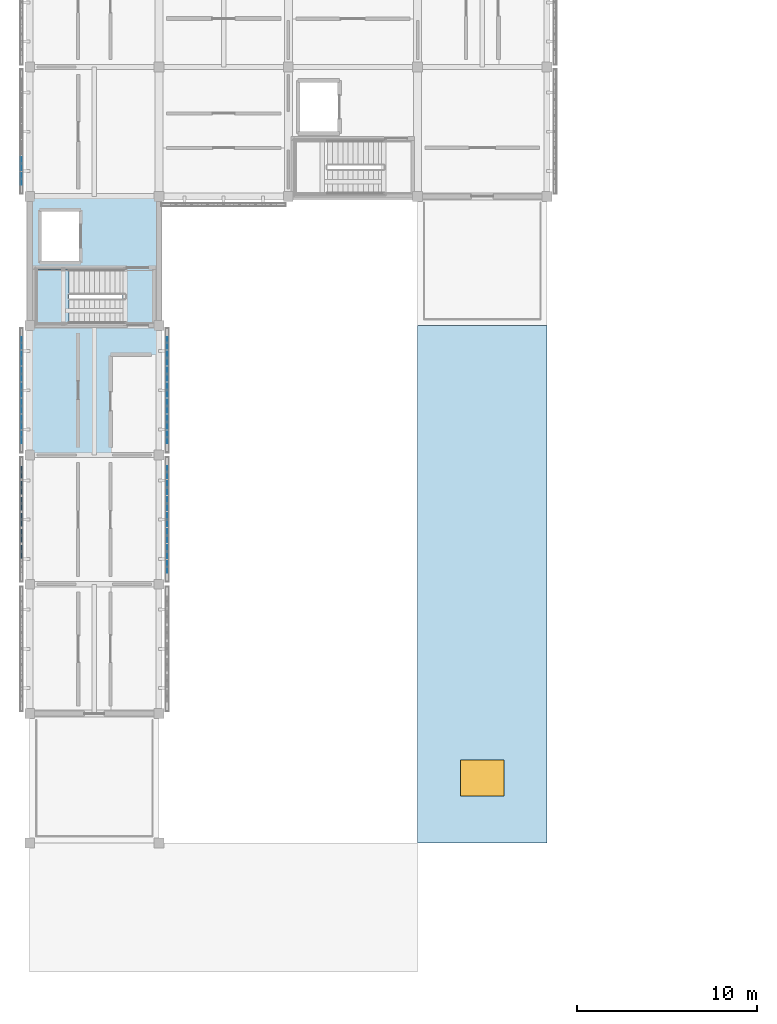
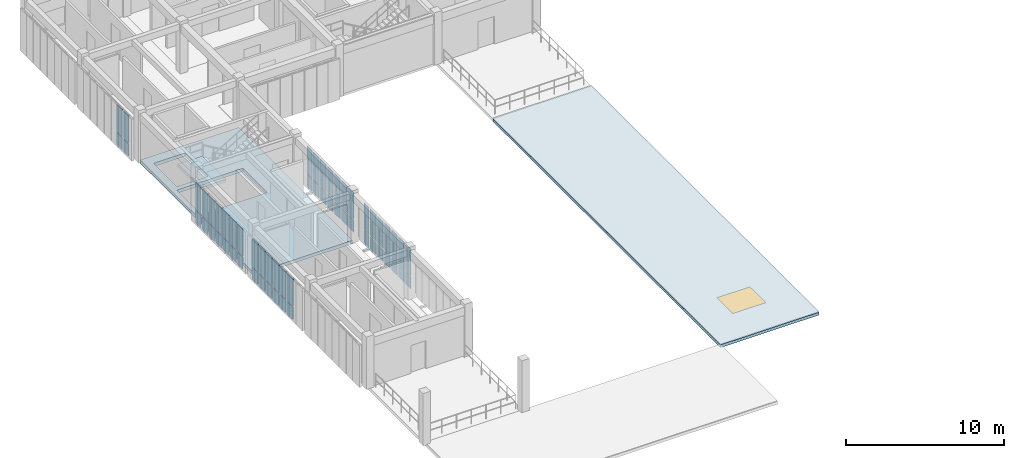
# One storey, part 17 of 33: 58 plates, 3 slabs, 1 window, 1 opening, 6 elements without a shape of their own.
"""IFC4 building model written with IfcOpenShell, lengths in metres."""

from ifc_helpers import new_model, si_unit, direction, frame, origin, origin_2d, place, context, subcontext, project, spatial, polyline, rectangle, outline, extrude, material, layer, layer_set, type_object, element, fill, aggregate, save


model = new_model("IFC4")

# Units and contexts
model_context = context("Model", 3, precision=1e-05, world=origin(), true_north=direction((0.0, 1.0)))
body_context = subcontext(model_context, "Body", "Model", "MODEL_VIEW")
ifc_project = project(units=[si_unit("LENGTHUNIT", "METRE"), si_unit("AREAUNIT", "SQUARE_METRE"), si_unit("VOLUMEUNIT", "CUBIC_METRE"), si_unit("PLANEANGLEUNIT", "RADIAN"), si_unit("MASSUNIT", "GRAM", prefix="KILO")], contexts=[model_context])

# Site, building, storey
site_placement = place(None, origin())
site = spatial("IfcSite", under=ifc_project, at=site_placement, CompositionType="ELEMENT")
building_placement = place(site_placement, origin())
building = spatial("IfcBuilding", under=site, at=building_placement, Name="Aldebral Square Health Centre", CompositionType="ELEMENT")
storey_placement = place(building_placement, frame((0.0, 0.0, 17.550048828125)))
storey = spatial("IfcBuildingStorey", under=building, at=storey_placement, Name="L04", CompositionType="ELEMENT", Elevation=17.550048828125)

# Curtain wall, plates
ifc_material_1 = material(Name="Aluminium and low-E solar glass", Category="aluminium")
curtain_wall_type = type_object("IfcCurtainWallType", Name="CW-FIN-SYS", PredefinedType="USERDEFINED", material=ifc_material_1)
curtain_wall_1_placement = place(storey_placement, origin())
curtain_wall_1 = element("IfcCurtainWall", 1, at=curtain_wall_1_placement, inside=storey, type_object=curtain_wall_type, Name="L04 V4 finned curtain wall L04-V4-00-11-E", ObjectType="SOLAR_CURTAIN_WALL", PredefinedType="USERDEFINED")
ifc_material_2 = material(Name="Solar-control low-E double glass", Category="glass")
ifc_layer_1 = layer(ifc_material_2, 0.02001953125, Name="Solar-control low-E double glass", Category="glass")
ifc_layer_set_1 = layer_set([ifc_layer_1], Name="Solar-control low-E double glass")
plate_type_1 = type_object("IfcPlateType", Name="CWP-GLZ-1", PredefinedType="CURTAIN_PANEL", material=ifc_layer_set_1)
plate_1_placement = place(storey_placement, frame((7.659912109375, 80.165771484375, 0.074951171875), z_axis=(0.0, 0.0, 1.0), x_axis=(0.0, 1.0, 0.0)))
plate_1 = element("IfcPlate", 2, at=plate_1_placement, type_object=plate_type_1, Name="CW1 panel 1.1", PredefinedType="CURTAIN_PANEL", context=body_context, shape_type="SweptSolid", body=[
    extrude(rectangle(XDim=0.6513671875, YDim=0.02001953125, at=origin_2d()), origin(), (0.0, 0.0, 1.0), 0.9375),
])
plate_2_placement = place(storey_placement, frame((7.659912109375, 80.165771484375, 1.08740234375), z_axis=(0.0, 0.0, 1.0), x_axis=(0.0, 1.0, 0.0)))
plate_2 = element("IfcPlate", 3, at=plate_2_placement, type_object=plate_type_1, Name="CW1 panel 1.2", PredefinedType="CURTAIN_PANEL", context=body_context, shape_type="SweptSolid", body=[
    extrude(rectangle(XDim=0.6513671875, YDim=0.02001953125, at=origin_2d()), origin(), (0.0, 0.0, 1.0), 2.08740234375),
])
plate_3_placement = place(storey_placement, frame((7.659912109375, 81.01708984375, 0.074951171875), z_axis=(0.0, 0.0, 1.0), x_axis=(0.0, 1.0, 0.0)))
plate_3 = element("IfcPlate", 4, at=plate_3_placement, type_object=plate_type_1, Name="CW1 panel 2.1", PredefinedType="CURTAIN_PANEL", context=body_context, shape_type="SweptSolid", body=[
    extrude(rectangle(XDim=0.7314453125, YDim=0.02001953125, at=origin_2d()), origin(), (0.0, 0.0, 1.0), 0.9375),
])
plate_4_placement = place(storey_placement, frame((7.659912109375, 81.01708984375, 1.08740234375), z_axis=(0.0, 0.0, 1.0), x_axis=(0.0, 1.0, 0.0)))
plate_4 = element("IfcPlate", 5, at=plate_4_placement, type_object=plate_type_1, Name="CW1 panel 2.2", PredefinedType="CURTAIN_PANEL", context=body_context, shape_type="SweptSolid", body=[
    extrude(rectangle(XDim=0.7314453125, YDim=0.02001953125, at=origin_2d()), origin(), (0.0, 0.0, 1.0), 2.08740234375),
])
plate_5_placement = place(storey_placement, frame((7.659912109375, 81.90869140625, 0.074951171875), z_axis=(0.0, 0.0, 1.0), x_axis=(0.0, 1.0, 0.0)))
plate_5 = element("IfcPlate", 6, at=plate_5_placement, type_object=plate_type_1, Name="CW1 panel 3.1", PredefinedType="CURTAIN_PANEL", context=body_context, shape_type="SweptSolid", body=[
    extrude(rectangle(XDim=0.7314453125, YDim=0.02001953125, at=origin_2d()), origin(), (0.0, 0.0, 1.0), 0.9375),
])
plate_6_placement = place(storey_placement, frame((7.659912109375, 81.90869140625, 1.08740234375), z_axis=(0.0, 0.0, 1.0), x_axis=(0.0, 1.0, 0.0)))
plate_6 = element("IfcPlate", 7, at=plate_6_placement, type_object=plate_type_1, Name="CW1 panel 3.2", PredefinedType="CURTAIN_PANEL", context=body_context, shape_type="SweptSolid", body=[
    extrude(rectangle(XDim=0.7314453125, YDim=0.02001953125, at=origin_2d()), origin(), (0.0, 0.0, 1.0), 2.08740234375),
])
plate_7_placement = place(storey_placement, frame((7.659912109375, 82.800048828125, 0.074951171875), z_axis=(0.0, 0.0, 1.0), x_axis=(0.0, 1.0, 0.0)))
plate_7 = element("IfcPlate", 8, at=plate_7_placement, type_object=plate_type_1, Name="CW1 panel 4.1", PredefinedType="CURTAIN_PANEL", context=body_context, shape_type="SweptSolid", body=[
    extrude(rectangle(XDim=0.7314453125, YDim=0.02001953125, at=origin_2d()), origin(), (0.0, 0.0, 1.0), 0.9375),
])
plate_8_placement = place(storey_placement, frame((7.659912109375, 82.800048828125, 1.08740234375), z_axis=(0.0, 0.0, 1.0), x_axis=(0.0, 1.0, 0.0)))
plate_8 = element("IfcPlate", 9, at=plate_8_placement, type_object=plate_type_1, Name="CW1 panel 4.2", PredefinedType="CURTAIN_PANEL", context=body_context, shape_type="SweptSolid", body=[
    extrude(rectangle(XDim=0.7314453125, YDim=0.02001953125, at=origin_2d()), origin(), (0.0, 0.0, 1.0), 2.08740234375),
])
plate_9_placement = place(storey_placement, frame((7.659912109375, 83.69140625, 0.074951171875), z_axis=(0.0, 0.0, 1.0), x_axis=(0.0, 1.0, 0.0)))
plate_9 = element("IfcPlate", 10, at=plate_9_placement, type_object=plate_type_1, Name="CW1 panel 5.1", PredefinedType="CURTAIN_PANEL", context=body_context, shape_type="SweptSolid", body=[
    extrude(rectangle(XDim=0.7314453125, YDim=0.02001953125, at=origin_2d()), origin(), (0.0, 0.0, 1.0), 0.9375),
])
plate_10_placement = place(storey_placement, frame((7.659912109375, 83.69140625, 1.08740234375), z_axis=(0.0, 0.0, 1.0), x_axis=(0.0, 1.0, 0.0)))
plate_10 = element("IfcPlate", 11, at=plate_10_placement, type_object=plate_type_1, Name="CW1 panel 5.2", PredefinedType="CURTAIN_PANEL", context=body_context, shape_type="SweptSolid", body=[
    extrude(rectangle(XDim=0.7314453125, YDim=0.02001953125, at=origin_2d()), origin(), (0.0, 0.0, 1.0), 2.08740234375),
])
plate_11_placement = place(storey_placement, frame((7.659912109375, 84.582763671875, 0.074951171875), z_axis=(0.0, 0.0, 1.0), x_axis=(0.0, 1.0, 0.0)))
plate_11 = element("IfcPlate", 12, at=plate_11_placement, type_object=plate_type_1, Name="CW1 panel 6.1", PredefinedType="CURTAIN_PANEL", context=body_context, shape_type="SweptSolid", body=[
    extrude(rectangle(XDim=0.7314453125, YDim=0.02001953125, at=origin_2d()), origin(), (0.0, 0.0, 1.0), 0.9375),
])
plate_12_placement = place(storey_placement, frame((7.659912109375, 84.582763671875, 1.08740234375), z_axis=(0.0, 0.0, 1.0), x_axis=(0.0, 1.0, 0.0)))
plate_12 = element("IfcPlate", 13, at=plate_12_placement, type_object=plate_type_1, Name="CW1 panel 6.2", PredefinedType="CURTAIN_PANEL", context=body_context, shape_type="SweptSolid", body=[
    extrude(rectangle(XDim=0.7314453125, YDim=0.02001953125, at=origin_2d()), origin(), (0.0, 0.0, 1.0), 2.08740234375),
])
plate_13_placement = place(storey_placement, frame((7.659912109375, 85.434326171875, 0.074951171875), z_axis=(0.0, 0.0, 1.0), x_axis=(0.0, 1.0, 0.0)))
plate_13 = element("IfcPlate", 14, at=plate_13_placement, type_object=plate_type_1, Name="CW1 panel 7.1", PredefinedType="CURTAIN_PANEL", context=body_context, shape_type="SweptSolid", body=[
    extrude(rectangle(XDim=0.6513671875, YDim=0.02001953125, at=origin_2d()), origin(), (0.0, 0.0, 1.0), 0.9375),
])
plate_14_placement = place(storey_placement, frame((7.659912109375, 85.434326171875, 1.08740234375), z_axis=(0.0, 0.0, 1.0), x_axis=(0.0, 1.0, 0.0)))
plate_14 = element("IfcPlate", 15, at=plate_14_placement, type_object=plate_type_1, Name="CW1 panel 7.2", PredefinedType="CURTAIN_PANEL", context=body_context, shape_type="SweptSolid", body=[
    extrude(rectangle(XDim=0.6513671875, YDim=0.02001953125, at=origin_2d()), origin(), (0.0, 0.0, 1.0), 2.08740234375),
])
aggregate(curtain_wall_1, [plate_1, plate_2, plate_3, plate_4, plate_5, plate_6, plate_7, plate_8, plate_9, plate_10, plate_11, plate_12, plate_13, plate_14])

curtain_wall_2_placement = place(storey_placement, origin())
curtain_wall_2 = element("IfcCurtainWall", 16, at=curtain_wall_2_placement, inside=storey, type_object=curtain_wall_type, Name="L04 V4 finned curtain wall L04-V4-00-12-W", ObjectType="SOLAR_CURTAIN_WALL", PredefinedType="USERDEFINED")
ifc_layer_2 = layer(ifc_material_2, 0.030029296875, Name="Solar-control low-E double glass", Category="glass")
ifc_layer_set_2 = layer_set([ifc_layer_2], Name="Solar-control low-E double glass")
plate_type_2 = type_object("IfcPlateType", Name="CWP-GLZ-2", PredefinedType="CURTAIN_PANEL", material=ifc_layer_set_2)
plate_15_placement = place(storey_placement, frame((-0.4599609375, 92.63427734375, 0.074951171875), z_axis=(0.0, 0.0, 1.0), x_axis=(0.0, -1.0, 0.0)))
plate_15 = element("IfcPlate", 17, at=plate_15_placement, type_object=plate_type_2, Name="CW1 panel 1.1", PredefinedType="CURTAIN_PANEL", context=body_context, shape_type="SweptSolid", body=[
    extrude(rectangle(XDim=0.6513671875, YDim=0.030029296875, at=origin_2d()), origin(), (0.0, 0.0, 1.0), 0.9375),
])
plate_16_placement = place(storey_placement, frame((-0.4599609375, 92.63427734375, 1.08740234375), z_axis=(0.0, 0.0, 1.0), x_axis=(0.0, -1.0, 0.0)))
plate_16 = element("IfcPlate", 18, at=plate_16_placement, type_object=plate_type_2, Name="CW1 panel 1.2", PredefinedType="CURTAIN_PANEL", context=body_context, shape_type="SweptSolid", body=[
    extrude(rectangle(XDim=0.6513671875, YDim=0.030029296875, at=origin_2d()), origin(), (0.0, 0.0, 1.0), 2.08740234375),
])
plate_17_placement = place(storey_placement, frame((-0.4599609375, 91.782958984375, 0.074951171875), z_axis=(0.0, 0.0, 1.0), x_axis=(0.0, -1.0, 0.0)))
plate_17 = element("IfcPlate", 19, at=plate_17_placement, type_object=plate_type_2, Name="CW1 panel 2.1", PredefinedType="CURTAIN_PANEL", context=body_context, shape_type="SweptSolid", body=[
    extrude(rectangle(XDim=0.7314453125, YDim=0.030029296875, at=origin_2d()), origin(), (0.0, 0.0, 1.0), 0.9375),
])
plate_18_placement = place(storey_placement, frame((-0.4599609375, 91.782958984375, 1.08740234375), z_axis=(0.0, 0.0, 1.0), x_axis=(0.0, -1.0, 0.0)))
plate_18 = element("IfcPlate", 20, at=plate_18_placement, type_object=plate_type_2, Name="CW1 panel 2.2", PredefinedType="CURTAIN_PANEL", context=body_context, shape_type="SweptSolid", body=[
    extrude(rectangle(XDim=0.7314453125, YDim=0.030029296875, at=origin_2d()), origin(), (0.0, 0.0, 1.0), 2.08740234375),
])
plate_19_placement = place(storey_placement, frame((-0.4599609375, 90.891357421875, 0.074951171875), z_axis=(0.0, 0.0, 1.0), x_axis=(0.0, -1.0, 0.0)))
plate_19 = element("IfcPlate", 21, at=plate_19_placement, type_object=plate_type_2, Name="CW1 panel 3.1", PredefinedType="CURTAIN_PANEL", context=body_context, shape_type="SweptSolid", body=[
    extrude(rectangle(XDim=0.7314453125, YDim=0.030029296875, at=origin_2d()), origin(), (0.0, 0.0, 1.0), 0.9375),
])
plate_20_placement = place(storey_placement, frame((-0.4599609375, 90.891357421875, 1.08740234375), z_axis=(0.0, 0.0, 1.0), x_axis=(0.0, -1.0, 0.0)))
plate_20 = element("IfcPlate", 22, at=plate_20_placement, type_object=plate_type_2, Name="CW1 panel 3.2", PredefinedType="CURTAIN_PANEL", context=body_context, shape_type="SweptSolid", body=[
    extrude(rectangle(XDim=0.7314453125, YDim=0.030029296875, at=origin_2d()), origin(), (0.0, 0.0, 1.0), 2.08740234375),
])
plate_21_placement = place(storey_placement, frame((-0.4599609375, 90.0, 0.074951171875), z_axis=(0.0, 0.0, 1.0), x_axis=(0.0, -1.0, 0.0)))
plate_21 = element("IfcPlate", 23, at=plate_21_placement, type_object=plate_type_2, Name="CW1 panel 4.1", PredefinedType="CURTAIN_PANEL", context=body_context, shape_type="SweptSolid", body=[
    extrude(rectangle(XDim=0.7314453125, YDim=0.030029296875, at=origin_2d()), origin(), (0.0, 0.0, 1.0), 0.9375),
])
plate_22_placement = place(storey_placement, frame((-0.4599609375, 90.0, 1.08740234375), z_axis=(0.0, 0.0, 1.0), x_axis=(0.0, -1.0, 0.0)))
plate_22 = element("IfcPlate", 24, at=plate_22_placement, type_object=plate_type_2, Name="CW1 panel 4.2", PredefinedType="CURTAIN_PANEL", context=body_context, shape_type="SweptSolid", body=[
    extrude(rectangle(XDim=0.7314453125, YDim=0.030029296875, at=origin_2d()), origin(), (0.0, 0.0, 1.0), 2.08740234375),
])
plate_23_placement = place(storey_placement, frame((-0.4599609375, 89.108642578125, 0.074951171875), z_axis=(0.0, 0.0, 1.0), x_axis=(0.0, -1.0, 0.0)))
plate_23 = element("IfcPlate", 25, at=plate_23_placement, type_object=plate_type_2, Name="CW1 panel 5.1", PredefinedType="CURTAIN_PANEL", context=body_context, shape_type="SweptSolid", body=[
    extrude(rectangle(XDim=0.7314453125, YDim=0.030029296875, at=origin_2d()), origin(), (0.0, 0.0, 1.0), 0.9375),
])
plate_24_placement = place(storey_placement, frame((-0.4599609375, 89.108642578125, 1.08740234375), z_axis=(0.0, 0.0, 1.0), x_axis=(0.0, -1.0, 0.0)))
plate_24 = element("IfcPlate", 26, at=plate_24_placement, type_object=plate_type_2, Name="CW1 panel 5.2", PredefinedType="CURTAIN_PANEL", context=body_context, shape_type="SweptSolid", body=[
    extrude(rectangle(XDim=0.7314453125, YDim=0.030029296875, at=origin_2d()), origin(), (0.0, 0.0, 1.0), 2.08740234375),
])
plate_25_placement = place(storey_placement, frame((-0.4599609375, 88.217041015625, 0.074951171875), z_axis=(0.0, 0.0, 1.0), x_axis=(0.0, -1.0, 0.0)))
plate_25 = element("IfcPlate", 27, at=plate_25_placement, type_object=plate_type_2, Name="CW1 panel 6.1", PredefinedType="CURTAIN_PANEL", context=body_context, shape_type="SweptSolid", body=[
    extrude(rectangle(XDim=0.7314453125, YDim=0.030029296875, at=origin_2d()), origin(), (0.0, 0.0, 1.0), 0.9375),
])
plate_26_placement = place(storey_placement, frame((-0.4599609375, 88.217041015625, 1.08740234375), z_axis=(0.0, 0.0, 1.0), x_axis=(0.0, -1.0, 0.0)))
plate_26 = element("IfcPlate", 28, at=plate_26_placement, type_object=plate_type_2, Name="CW1 panel 6.2", PredefinedType="CURTAIN_PANEL", context=body_context, shape_type="SweptSolid", body=[
    extrude(rectangle(XDim=0.7314453125, YDim=0.030029296875, at=origin_2d()), origin(), (0.0, 0.0, 1.0), 2.08740234375),
])
plate_27_placement = place(storey_placement, frame((-0.4599609375, 87.36572265625, 0.074951171875), z_axis=(0.0, 0.0, 1.0), x_axis=(0.0, -1.0, 0.0)))
plate_27 = element("IfcPlate", 29, at=plate_27_placement, type_object=plate_type_2, Name="CW1 panel 7.1", PredefinedType="CURTAIN_PANEL", context=body_context, shape_type="SweptSolid", body=[
    extrude(rectangle(XDim=0.6513671875, YDim=0.030029296875, at=origin_2d()), origin(), (0.0, 0.0, 1.0), 0.9375),
])
plate_28_placement = place(storey_placement, frame((-0.4599609375, 87.36572265625, 1.08740234375), z_axis=(0.0, 0.0, 1.0), x_axis=(0.0, -1.0, 0.0)))
plate_28 = element("IfcPlate", 30, at=plate_28_placement, type_object=plate_type_2, Name="CW1 panel 7.2", PredefinedType="CURTAIN_PANEL", context=body_context, shape_type="SweptSolid", body=[
    extrude(rectangle(XDim=0.6513671875, YDim=0.030029296875, at=origin_2d()), origin(), (0.0, 0.0, 1.0), 2.08740234375),
])
aggregate(curtain_wall_2, [plate_15, plate_16, plate_17, plate_18, plate_19, plate_20, plate_21, plate_22, plate_23, plate_24, plate_25, plate_26, plate_27, plate_28])

curtain_wall_3_placement = place(storey_placement, origin())
curtain_wall_3 = element("IfcCurtainWall", 31, at=curtain_wall_3_placement, inside=storey, type_object=curtain_wall_type, Name="L04 V4 finned curtain wall L04-V4-00-12-E", ObjectType="SOLAR_CURTAIN_WALL", PredefinedType="USERDEFINED")
ifc_layer_3 = layer(ifc_material_2, 0.0400390625, Name="Solar-control low-E double glass", Category="glass")
ifc_layer_set_3 = layer_set([ifc_layer_3], Name="Solar-control low-E double glass")
plate_type_3 = type_object("IfcPlateType", Name="CWP-GLZ-3", PredefinedType="CURTAIN_PANEL", material=ifc_layer_set_3)
plate_29_placement = place(storey_placement, frame((7.659912109375, 87.36572265625, 0.074951171875), z_axis=(0.0, 0.0, 1.0), x_axis=(0.0, 1.0, 0.0)))
plate_29 = element("IfcPlate", 32, at=plate_29_placement, type_object=plate_type_3, Name="CW1 panel 1.1", PredefinedType="CURTAIN_PANEL", context=body_context, shape_type="SweptSolid", body=[
    extrude(rectangle(XDim=0.6513671875, YDim=0.0400390625, at=origin_2d()), origin(), (0.0, 0.0, 1.0), 0.9375),
])
plate_30_placement = place(storey_placement, frame((7.659912109375, 87.36572265625, 1.08740234375), z_axis=(0.0, 0.0, 1.0), x_axis=(0.0, 1.0, 0.0)))
plate_30 = element("IfcPlate", 33, at=plate_30_placement, type_object=plate_type_3, Name="CW1 panel 1.2", PredefinedType="CURTAIN_PANEL", context=body_context, shape_type="SweptSolid", body=[
    extrude(rectangle(XDim=0.6513671875, YDim=0.0400390625, at=origin_2d()), origin(), (0.0, 0.0, 1.0), 2.08740234375),
])
plate_31_placement = place(storey_placement, frame((7.659912109375, 88.217041015625, 0.074951171875), z_axis=(0.0, 0.0, 1.0), x_axis=(0.0, 1.0, 0.0)))
plate_31 = element("IfcPlate", 34, at=plate_31_placement, type_object=plate_type_3, Name="CW1 panel 2.1", PredefinedType="CURTAIN_PANEL", context=body_context, shape_type="SweptSolid", body=[
    extrude(rectangle(XDim=0.7314453125, YDim=0.0400390625, at=origin_2d()), origin(), (0.0, 0.0, 1.0), 0.9375),
])
plate_32_placement = place(storey_placement, frame((7.659912109375, 88.217041015625, 1.08740234375), z_axis=(0.0, 0.0, 1.0), x_axis=(0.0, 1.0, 0.0)))
plate_32 = element("IfcPlate", 35, at=plate_32_placement, type_object=plate_type_3, Name="CW1 panel 2.2", PredefinedType="CURTAIN_PANEL", context=body_context, shape_type="SweptSolid", body=[
    extrude(rectangle(XDim=0.7314453125, YDim=0.0400390625, at=origin_2d()), origin(), (0.0, 0.0, 1.0), 2.08740234375),
])
plate_33_placement = place(storey_placement, frame((7.659912109375, 89.108642578125, 0.074951171875), z_axis=(0.0, 0.0, 1.0), x_axis=(0.0, 1.0, 0.0)))
plate_33 = element("IfcPlate", 36, at=plate_33_placement, type_object=plate_type_3, Name="CW1 panel 3.1", PredefinedType="CURTAIN_PANEL", context=body_context, shape_type="SweptSolid", body=[
    extrude(rectangle(XDim=0.7314453125, YDim=0.0400390625, at=origin_2d()), origin(), (0.0, 0.0, 1.0), 0.9375),
])
plate_34_placement = place(storey_placement, frame((7.659912109375, 89.108642578125, 1.08740234375), z_axis=(0.0, 0.0, 1.0), x_axis=(0.0, 1.0, 0.0)))
plate_34 = element("IfcPlate", 37, at=plate_34_placement, type_object=plate_type_3, Name="CW1 panel 3.2", PredefinedType="CURTAIN_PANEL", context=body_context, shape_type="SweptSolid", body=[
    extrude(rectangle(XDim=0.7314453125, YDim=0.0400390625, at=origin_2d()), origin(), (0.0, 0.0, 1.0), 2.08740234375),
])
plate_35_placement = place(storey_placement, frame((7.659912109375, 90.0, 0.074951171875), z_axis=(0.0, 0.0, 1.0), x_axis=(0.0, 1.0, 0.0)))
plate_35 = element("IfcPlate", 38, at=plate_35_placement, type_object=plate_type_3, Name="CW1 panel 4.1", PredefinedType="CURTAIN_PANEL", context=body_context, shape_type="SweptSolid", body=[
    extrude(rectangle(XDim=0.7314453125, YDim=0.0400390625, at=origin_2d()), origin(), (0.0, 0.0, 1.0), 0.9375),
])
plate_36_placement = place(storey_placement, frame((7.659912109375, 90.0, 1.08740234375), z_axis=(0.0, 0.0, 1.0), x_axis=(0.0, 1.0, 0.0)))
plate_36 = element("IfcPlate", 39, at=plate_36_placement, type_object=plate_type_3, Name="CW1 panel 4.2", PredefinedType="CURTAIN_PANEL", context=body_context, shape_type="SweptSolid", body=[
    extrude(rectangle(XDim=0.7314453125, YDim=0.0400390625, at=origin_2d()), origin(), (0.0, 0.0, 1.0), 2.08740234375),
])
plate_37_placement = place(storey_placement, frame((7.659912109375, 90.891357421875, 0.074951171875), z_axis=(0.0, 0.0, 1.0), x_axis=(0.0, 1.0, 0.0)))
plate_37 = element("IfcPlate", 40, at=plate_37_placement, type_object=plate_type_3, Name="CW1 panel 5.1", PredefinedType="CURTAIN_PANEL", context=body_context, shape_type="SweptSolid", body=[
    extrude(rectangle(XDim=0.7314453125, YDim=0.0400390625, at=origin_2d()), origin(), (0.0, 0.0, 1.0), 0.9375),
])
plate_38_placement = place(storey_placement, frame((7.659912109375, 90.891357421875, 1.08740234375), z_axis=(0.0, 0.0, 1.0), x_axis=(0.0, 1.0, 0.0)))
plate_38 = element("IfcPlate", 41, at=plate_38_placement, type_object=plate_type_3, Name="CW1 panel 5.2", PredefinedType="CURTAIN_PANEL", context=body_context, shape_type="SweptSolid", body=[
    extrude(rectangle(XDim=0.7314453125, YDim=0.0400390625, at=origin_2d()), origin(), (0.0, 0.0, 1.0), 2.08740234375),
])
plate_39_placement = place(storey_placement, frame((7.659912109375, 91.782958984375, 0.074951171875), z_axis=(0.0, 0.0, 1.0), x_axis=(0.0, 1.0, 0.0)))
plate_39 = element("IfcPlate", 42, at=plate_39_placement, type_object=plate_type_3, Name="CW1 panel 6.1", PredefinedType="CURTAIN_PANEL", context=body_context, shape_type="SweptSolid", body=[
    extrude(rectangle(XDim=0.7314453125, YDim=0.0400390625, at=origin_2d()), origin(), (0.0, 0.0, 1.0), 0.9375),
])
plate_40_placement = place(storey_placement, frame((7.659912109375, 91.782958984375, 1.08740234375), z_axis=(0.0, 0.0, 1.0), x_axis=(0.0, 1.0, 0.0)))
plate_40 = element("IfcPlate", 43, at=plate_40_placement, type_object=plate_type_3, Name="CW1 panel 6.2", PredefinedType="CURTAIN_PANEL", context=body_context, shape_type="SweptSolid", body=[
    extrude(rectangle(XDim=0.7314453125, YDim=0.0400390625, at=origin_2d()), origin(), (0.0, 0.0, 1.0), 2.08740234375),
])
plate_41_placement = place(storey_placement, frame((7.659912109375, 92.63427734375, 0.074951171875), z_axis=(0.0, 0.0, 1.0), x_axis=(0.0, 1.0, 0.0)))
plate_41 = element("IfcPlate", 44, at=plate_41_placement, type_object=plate_type_3, Name="CW1 panel 7.1", PredefinedType="CURTAIN_PANEL", context=body_context, shape_type="SweptSolid", body=[
    extrude(rectangle(XDim=0.6513671875, YDim=0.0400390625, at=origin_2d()), origin(), (0.0, 0.0, 1.0), 0.9375),
])
plate_42_placement = place(storey_placement, frame((7.659912109375, 92.63427734375, 1.08740234375), z_axis=(0.0, 0.0, 1.0), x_axis=(0.0, 1.0, 0.0)))
plate_42 = element("IfcPlate", 45, at=plate_42_placement, type_object=plate_type_3, Name="CW1 panel 7.2", PredefinedType="CURTAIN_PANEL", context=body_context, shape_type="SweptSolid", body=[
    extrude(rectangle(XDim=0.6513671875, YDim=0.0400390625, at=origin_2d()), origin(), (0.0, 0.0, 1.0), 2.08740234375),
])
aggregate(curtain_wall_3, [plate_29, plate_30, plate_31, plate_32, plate_33, plate_34, plate_35, plate_36, plate_37, plate_38, plate_39, plate_40, plate_41, plate_42])

curtain_wall_4_placement = place(storey_placement, origin())
curtain_wall_4 = element("IfcCurtainWall", 46, at=curtain_wall_4_placement, inside=storey, type_object=curtain_wall_type, Name="L04 V4 finned curtain wall L04-V4-00-14-W", ObjectType="SOLAR_CURTAIN_WALL", PredefinedType="USERDEFINED")
ifc_layer_4 = layer(ifc_material_2, 0.050048828125, Name="Solar-control low-E double glass", Category="glass")
ifc_layer_set_4 = layer_set([ifc_layer_4], Name="Solar-control low-E double glass")
plate_type_4 = type_object("IfcPlateType", Name="CWP-GLZ-4", PredefinedType="CURTAIN_PANEL", material=ifc_layer_set_4)
plate_43_placement = place(storey_placement, frame((-0.4599609375, 102.6171875, 0.074951171875), z_axis=(0.0, 0.0, 1.0), x_axis=(0.0, -1.0, 0.0)))
plate_43 = element("IfcPlate", 47, at=plate_43_placement, type_object=plate_type_4, Name="CW1 panel 6.1", PredefinedType="CURTAIN_PANEL", context=body_context, shape_type="SweptSolid", body=[
    extrude(rectangle(XDim=0.7314453125, YDim=0.050048828125, at=origin_2d()), origin(), (0.0, 0.0, 1.0), 0.9375),
])
plate_44_placement = place(storey_placement, frame((-0.4599609375, 102.6171875, 1.08740234375), z_axis=(0.0, 0.0, 1.0), x_axis=(0.0, -1.0, 0.0)))
plate_44 = element("IfcPlate", 48, at=plate_44_placement, type_object=plate_type_4, Name="CW1 panel 6.2", PredefinedType="CURTAIN_PANEL", context=body_context, shape_type="SweptSolid", body=[
    extrude(rectangle(XDim=0.7314453125, YDim=0.050048828125, at=origin_2d()), origin(), (0.0, 0.0, 1.0), 2.08740234375),
])
plate_45_placement = place(storey_placement, frame((-0.4599609375, 101.765625, 0.074951171875), z_axis=(0.0, 0.0, 1.0), x_axis=(0.0, -1.0, 0.0)))
plate_45 = element("IfcPlate", 49, at=plate_45_placement, type_object=plate_type_4, Name="CW1 panel 7.1", PredefinedType="CURTAIN_PANEL", context=body_context, shape_type="SweptSolid", body=[
    extrude(rectangle(XDim=0.6513671875, YDim=0.050048828125, at=origin_2d()), origin(), (0.0, 0.0, 1.0), 0.9375),
])
plate_46_placement = place(storey_placement, frame((-0.4599609375, 101.765625, 1.08740234375), z_axis=(0.0, 0.0, 1.0), x_axis=(0.0, -1.0, 0.0)))
plate_46 = element("IfcPlate", 50, at=plate_46_placement, type_object=plate_type_4, Name="CW1 panel 7.2", PredefinedType="CURTAIN_PANEL", context=body_context, shape_type="SweptSolid", body=[
    extrude(rectangle(XDim=0.6513671875, YDim=0.050048828125, at=origin_2d()), origin(), (0.0, 0.0, 1.0), 2.08740234375),
])
aggregate(curtain_wall_4, [plate_43, plate_44, plate_45, plate_46])

curtain_wall_5_placement = place(storey_placement, origin())
curtain_wall_5 = element("IfcCurtainWall", 51, at=curtain_wall_5_placement, inside=storey, type_object=curtain_wall_type, Name="L04 V4 finned curtain wall L04-V4-00-11-W", ObjectType="SOLAR_CURTAIN_WALL", PredefinedType="USERDEFINED")
ifc_layer_5 = layer(ifc_material_2, 0.090087890625, Name="Solar-control low-E double glass", Category="glass")
ifc_layer_set_5 = layer_set([ifc_layer_5], Name="Solar-control low-E double glass")
plate_type_5 = type_object("IfcPlateType", Name="CWP-GLZ-8", PredefinedType="CURTAIN_PANEL", material=ifc_layer_set_5)
plate_47_placement = place(storey_placement, frame((-0.4599609375, 85.434326171875, 0.074951171875), z_axis=(0.0, 0.0, 1.0), x_axis=(0.0, -1.0, 0.0)))
plate_47 = element("IfcPlate", 52, at=plate_47_placement, type_object=plate_type_5, Name="CW1 panel 1.1", PredefinedType="CURTAIN_PANEL", context=body_context, shape_type="SweptSolid", body=[
    extrude(rectangle(XDim=0.6513671875, YDim=0.090087890625, at=origin_2d()), origin(), (0.0, 0.0, 1.0), 0.9375),
])
plate_48_placement = place(storey_placement, frame((-0.4599609375, 85.434326171875, 1.08740234375), z_axis=(0.0, 0.0, 1.0), x_axis=(0.0, -1.0, 0.0)))
plate_48 = element("IfcPlate", 53, at=plate_48_placement, type_object=plate_type_5, Name="CW1 panel 1.2", PredefinedType="CURTAIN_PANEL", context=body_context, shape_type="SweptSolid", body=[
    extrude(rectangle(XDim=0.6513671875, YDim=0.090087890625, at=origin_2d()), origin(), (0.0, 0.0, 1.0), 2.08740234375),
])
plate_49_placement = place(storey_placement, frame((-0.4599609375, 84.582763671875, 0.074951171875), z_axis=(0.0, 0.0, 1.0), x_axis=(0.0, -1.0, 0.0)))
plate_49 = element("IfcPlate", 54, at=plate_49_placement, type_object=plate_type_5, Name="CW1 panel 2.1", PredefinedType="CURTAIN_PANEL", context=body_context, shape_type="SweptSolid", body=[
    extrude(rectangle(XDim=0.7314453125, YDim=0.090087890625, at=origin_2d()), origin(), (0.0, 0.0, 1.0), 0.9375),
])
plate_50_placement = place(storey_placement, frame((-0.4599609375, 84.582763671875, 1.08740234375), z_axis=(0.0, 0.0, 1.0), x_axis=(0.0, -1.0, 0.0)))
plate_50 = element("IfcPlate", 55, at=plate_50_placement, type_object=plate_type_5, Name="CW1 panel 2.2", PredefinedType="CURTAIN_PANEL", context=body_context, shape_type="SweptSolid", body=[
    extrude(rectangle(XDim=0.7314453125, YDim=0.090087890625, at=origin_2d()), origin(), (0.0, 0.0, 1.0), 2.08740234375),
])
plate_51_placement = place(storey_placement, frame((-0.4599609375, 83.69140625, 0.074951171875), z_axis=(0.0, 0.0, 1.0), x_axis=(0.0, -1.0, 0.0)))
plate_51 = element("IfcPlate", 56, at=plate_51_placement, type_object=plate_type_5, Name="CW1 panel 3.1", PredefinedType="CURTAIN_PANEL", context=body_context, shape_type="SweptSolid", body=[
    extrude(rectangle(XDim=0.7314453125, YDim=0.090087890625, at=origin_2d()), origin(), (0.0, 0.0, 1.0), 0.9375),
])
plate_52_placement = place(storey_placement, frame((-0.4599609375, 83.69140625, 1.08740234375), z_axis=(0.0, 0.0, 1.0), x_axis=(0.0, -1.0, 0.0)))
plate_52 = element("IfcPlate", 57, at=plate_52_placement, type_object=plate_type_5, Name="CW1 panel 3.2", PredefinedType="CURTAIN_PANEL", context=body_context, shape_type="SweptSolid", body=[
    extrude(rectangle(XDim=0.7314453125, YDim=0.090087890625, at=origin_2d()), origin(), (0.0, 0.0, 1.0), 2.08740234375),
])
plate_53_placement = place(storey_placement, frame((-0.4599609375, 82.800048828125, 0.074951171875), z_axis=(0.0, 0.0, 1.0), x_axis=(0.0, -1.0, 0.0)))
plate_53 = element("IfcPlate", 58, at=plate_53_placement, type_object=plate_type_5, Name="CW1 panel 4.1", PredefinedType="CURTAIN_PANEL", context=body_context, shape_type="SweptSolid", body=[
    extrude(rectangle(XDim=0.7314453125, YDim=0.090087890625, at=origin_2d()), origin(), (0.0, 0.0, 1.0), 0.9375),
])
plate_54_placement = place(storey_placement, frame((-0.4599609375, 82.800048828125, 1.08740234375), z_axis=(0.0, 0.0, 1.0), x_axis=(0.0, -1.0, 0.0)))
plate_54 = element("IfcPlate", 59, at=plate_54_placement, type_object=plate_type_5, Name="CW1 panel 4.2", PredefinedType="CURTAIN_PANEL", context=body_context, shape_type="SweptSolid", body=[
    extrude(rectangle(XDim=0.7314453125, YDim=0.090087890625, at=origin_2d()), origin(), (0.0, 0.0, 1.0), 2.08740234375),
])
plate_55_placement = place(storey_placement, frame((-0.4599609375, 81.90869140625, 0.074951171875), z_axis=(0.0, 0.0, 1.0), x_axis=(0.0, -1.0, 0.0)))
plate_55 = element("IfcPlate", 60, at=plate_55_placement, type_object=plate_type_5, Name="CW1 panel 5.1", PredefinedType="CURTAIN_PANEL", context=body_context, shape_type="SweptSolid", body=[
    extrude(rectangle(XDim=0.7314453125, YDim=0.090087890625, at=origin_2d()), origin(), (0.0, 0.0, 1.0), 0.9375),
])
plate_56_placement = place(storey_placement, frame((-0.4599609375, 81.90869140625, 1.08740234375), z_axis=(0.0, 0.0, 1.0), x_axis=(0.0, -1.0, 0.0)))
plate_56 = element("IfcPlate", 61, at=plate_56_placement, type_object=plate_type_5, Name="CW1 panel 5.2", PredefinedType="CURTAIN_PANEL", context=body_context, shape_type="SweptSolid", body=[
    extrude(rectangle(XDim=0.7314453125, YDim=0.090087890625, at=origin_2d()), origin(), (0.0, 0.0, 1.0), 2.08740234375),
])
plate_57_placement = place(storey_placement, frame((-0.4599609375, 81.01708984375, 0.074951171875), z_axis=(0.0, 0.0, 1.0), x_axis=(0.0, -1.0, 0.0)))
plate_57 = element("IfcPlate", 62, at=plate_57_placement, type_object=plate_type_5, Name="CW1 panel 6.1", PredefinedType="CURTAIN_PANEL", context=body_context, shape_type="SweptSolid", body=[
    extrude(rectangle(XDim=0.7314453125, YDim=0.090087890625, at=origin_2d()), origin(), (0.0, 0.0, 1.0), 0.9375),
])
plate_58_placement = place(storey_placement, frame((-0.4599609375, 81.01708984375, 1.08740234375), z_axis=(0.0, 0.0, 1.0), x_axis=(0.0, -1.0, 0.0)))
plate_58 = element("IfcPlate", 63, at=plate_58_placement, type_object=plate_type_5, Name="CW1 panel 6.2", PredefinedType="CURTAIN_PANEL", context=body_context, shape_type="SweptSolid", body=[
    extrude(rectangle(XDim=0.7314453125, YDim=0.090087890625, at=origin_2d()), origin(), (0.0, 0.0, 1.0), 2.08740234375),
])
aggregate(curtain_wall_5, [plate_47, plate_48, plate_49, plate_50, plate_51, plate_52, plate_53, plate_54, plate_55, plate_56, plate_57, plate_58])

# Slab
ifc_material_3 = material(Name="Concrete C35/45", Category="concrete")
ifc_layer_6 = layer(ifc_material_3, 0.25, Name="Concrete C35/45", Category="concrete")
ifc_layer_set_6 = layer_set([ifc_layer_6], Name="Concrete C35/45")
slab_type_1 = type_object("IfcSlabType", Name="SL-FLR-250", PredefinedType="FLOOR", material=ifc_layer_set_6)
slab_1_placement = place(storey_placement, frame((0.0, 0.0, -0.25)))
element("IfcSlab", 64, at=slab_1_placement, inside=storey, type_object=slab_type_1, Name="L04 V4 floor slab 2", PredefinedType="FLOOR", context=body_context, shape_type="SweptSolid", body=[
    extrude(outline(polyline([(0.0, 86.39990234375), (0.0, 93.60009765625), (0.0, 100.800048828125), (7.199951171875, 100.800048828125), (7.199951171875, 93.60009765625), (7.199951171875, 86.39990234375), (0.0, 86.39990234375)]), holes=[polyline([(0.340087890625, 96.760009765625), (0.340087890625, 93.679931640625), (5.179931640625, 93.679931640625), (5.179931640625, 96.760009765625), (0.340087890625, 96.760009765625)]), polyline([(0.550048828125, 100.050048828125), (0.550048828125, 97.10009765625), (2.85009765625, 97.10009765625), (2.85009765625, 100.050048828125), (0.550048828125, 100.050048828125)])]), origin(), (0.0, 0.0, 1.0), 0.25),
])

# Stair, slab
stair_type = type_object("IfcStairType", Name="ST-DOG-140", PredefinedType="HALF_TURN_STAIR", material=ifc_material_3)
stair_placement = place(storey_placement, origin())
stair = element("IfcStair", 65, at=stair_placement, inside=storey, type_object=stair_type, Name="L04 ST-01", PredefinedType="HALF_TURN_STAIR")
ifc_layer_7 = layer(ifc_material_3, 0.199951171875, Name="Concrete C35/45", Category="concrete")
ifc_layer_set_7 = layer_set([ifc_layer_7], Name="Concrete C35/45")
slab_type_2 = type_object("IfcSlabType", Name="SL-LND-200", PredefinedType="LANDING", material=ifc_layer_set_7)
slab_2_placement = place(storey_placement, frame((0.0, 0.0, 1.824951171875)))
slab_2 = element("IfcSlab", 66, at=slab_2_placement, type_object=slab_type_2, Name="ST-01 landing 1", PredefinedType="LANDING", context=body_context, shape_type="SweptSolid", body=[
    extrude(outline(polyline([(2.18505859375, 96.719970703125), (0.3798828125, 96.719970703125), (0.3798828125, 93.719970703125), (2.18505859375, 93.719970703125), (2.18505859375, 96.719970703125)])), origin(), (0.0, 0.0, 1.0), 0.199951171875),
])
aggregate(stair, [slab_2])

# Slab, opening, window
ifc_layer_8 = layer(ifc_material_3, 0.219970703125, Name="Concrete C35/45", Category="concrete")
ifc_layer_set_8 = layer_set([ifc_layer_8], Name="Concrete C35/45")
slab_type_3 = type_object("IfcSlabType", Name="SL-RF-220", PredefinedType="ROOF", material=ifc_layer_set_8)
slab_3_placement = place(storey_placement, frame((0.0, 0.0, -0.219970703125)))
slab_3 = element("IfcSlab", 67, at=slab_3_placement, inside=storey, type_object=slab_type_3, Name="L03 V4 roof slab 2", PredefinedType="ROOF", context=body_context, shape_type="SweptSolid", body=[
    extrude(outline(polyline([(21.60009765625, 79.199951171875), (21.60009765625, 86.39990234375), (21.60009765625, 93.60009765625), (28.800048828125, 93.60009765625), (28.800048828125, 86.39990234375), (28.800048828125, 79.199951171875), (28.800048828125, 72.0), (28.800048828125, 64.800048828125), (21.60009765625, 64.800048828125), (21.60009765625, 72.0), (21.60009765625, 79.199951171875)])), origin(), (0.0, 0.0, 1.0), 0.219970703125),
])
opening_placement = place(slab_3_placement, frame((25.199951171875, 68.39990234375, -0.010009765625)))
opening = element("IfcOpeningElement", 68, at=opening_placement, cuts=slab_3, Name="Opening SK04", PredefinedType="OPENING", context=body_context, shape_type="SweptSolid", body=[
    extrude(rectangle(XDim=2.39990234375, YDim=2.0, at=origin_2d()), origin(), (0.0, 0.0, 1.0), 0.239990234375),
])
ifc_material_4 = material(Name="Thermally broken skylight double glazing", Category="glass")
window_type = type_object("IfcWindowType", Name="SKY-S04", PartitioningType="SINGLE_PANEL", PredefinedType="SKYLIGHT", material=ifc_material_4)
window_placement = place(slab_3_placement, frame((25.199951171875, 68.39990234375, 0.169921875)))
window = element("IfcWindow", 69, at=window_placement, inside=storey, type_object=window_type, Name="Clinical roof skylight SK-08", OverallHeight=2.0, OverallWidth=2.39990234375, PartitioningType="SINGLE_PANEL", PredefinedType="SKYLIGHT", context=body_context, shape_type="SweptSolid", body=[
    extrude(rectangle(XDim=2.39990234375, YDim=2.0, at=origin_2d()), origin(), (0.0, 0.0, 1.0), 0.050048828125),
])
fill(opening, window)

save(model, "model.ifc")
